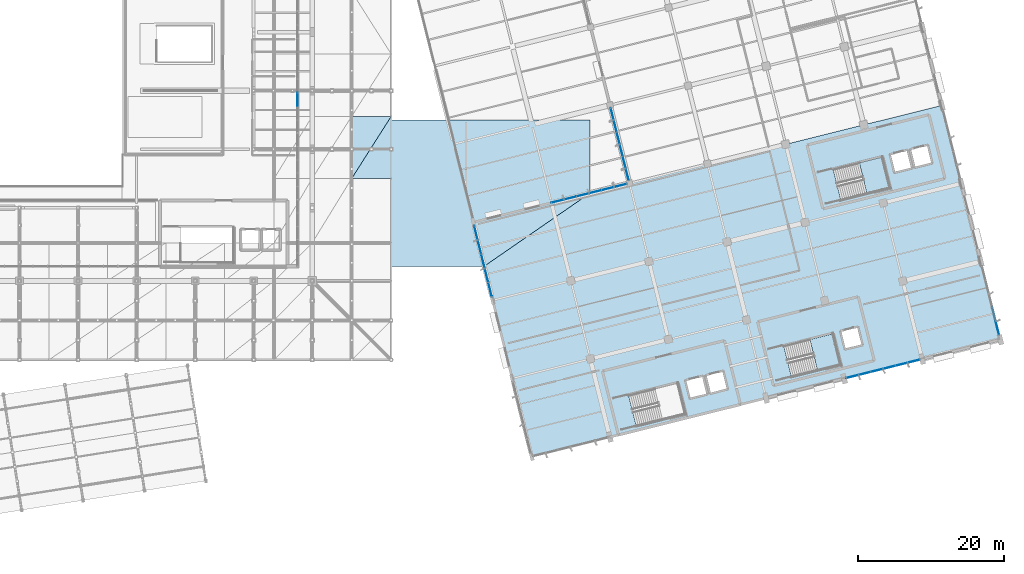
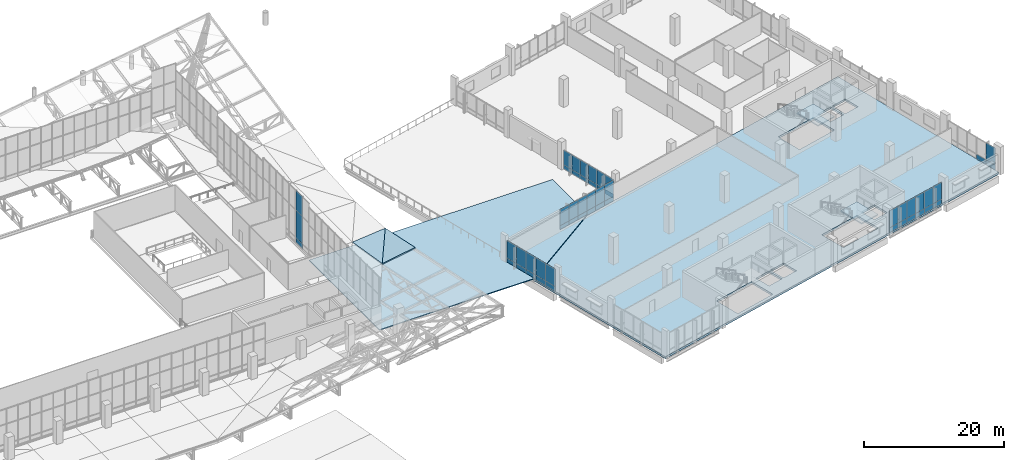
# One storey, part 110 of 137: 52 plates, 6 slabs, 10 elements without a shape of their own.
"""IFC4 building model written with IfcOpenShell, lengths in metres."""

from ifc_helpers import new_model, si_unit, direction, frame, origin, origin_2d, place, context, subcontext, project, spatial, polyline, rectangle, outline, extrude, material, layer, layer_set, type_object, element, aggregate, save


model = new_model("IFC4")

# Units and contexts
model_context = context("Model", 3, precision=1e-05, world=origin(), true_north=direction((0.0, 1.0)))
body_context = subcontext(model_context, "Body", "Model", "MODEL_VIEW")
ifc_project = project(units=[si_unit("LENGTHUNIT", "METRE"), si_unit("AREAUNIT", "SQUARE_METRE"), si_unit("VOLUMEUNIT", "CUBIC_METRE"), si_unit("PLANEANGLEUNIT", "RADIAN"), si_unit("MASSUNIT", "GRAM", prefix="KILO")], contexts=[model_context])

# Site, building, storey
site_placement = place(None, origin())
site = spatial("IfcSite", under=ifc_project, at=site_placement, CompositionType="ELEMENT")
building_placement = place(site_placement, origin())
building = spatial("IfcBuilding", under=site, at=building_placement, Name="Khorjan Park Terminus", CompositionType="ELEMENT")
storey_placement = place(building_placement, frame((0.0, 0.0, 11.4)))
storey = spatial("IfcBuildingStorey", under=building, at=storey_placement, Name="L02", CompositionType="ELEMENT", Elevation=11.4)

# Curtain wall, plates
ifc_material_1 = material(Name="Anodized Bronze Aluminium", Category="aluminium")
ifc_layer_1 = layer(ifc_material_1, 0.22)
ifc_layer_set_1 = layer_set([ifc_layer_1], Name="Anodized Bronze Aluminium")
curtain_wall_type_1 = type_object("IfcCurtainWallType", Name="CW-OPS-B", PredefinedType="NOTDEFINED", material=ifc_layer_set_1)
curtain_wall_1_placement = place(storey_placement, origin())
curtain_wall_1 = element("IfcCurtainWall", 1, at=curtain_wall_1_placement, inside=storey, type_object=curtain_wall_type_1, Name="Unitized curtain wall CW-B (CW-V5-NW1-L02-B03)", PredefinedType="NOTDEFINED")
ifc_material_2 = material(Name="Low-E Solar Control Double Glazing", Category="glass")
ifc_layer_2 = layer(ifc_material_2, 0.032)
ifc_layer_set_2 = layer_set([ifc_layer_2], Name="Low-E Solar Control Double Glazing")
plate_type_1 = type_object("IfcPlateType", Name="GL-VIS-32", PredefinedType="CURTAIN_PANEL", material=ifc_layer_set_2)
plate_1_placement = place(storey_placement, frame((177.0054, 48.7981, 0.727), z_axis=(0.0, 0.0, 1.0), x_axis=(0.241921344539, -0.970295863671, 0.0)))
plate_1 = element("IfcPlate", 2, at=plate_1_placement, type_object=plate_type_1, Name="Curtain-wall panel VP-32 (CW-V5-NW1-L02-B03-0-2)", PredefinedType="CURTAIN_PANEL", context=body_context, shape_type="SweptSolid", body=[
    extrude(rectangle(XDim=1.6983, YDim=0.032, at=origin_2d()), origin(), (0.0, 0.0, 1.0), 2.588),
])
plate_2_placement = place(storey_placement, frame((177.4162, 47.1502, 0.727), z_axis=(0.0, 0.0, 1.0), x_axis=(0.241921344539, -0.970295863671, 0.0)))
plate_2 = element("IfcPlate", 3, at=plate_2_placement, type_object=plate_type_1, Name="Curtain-wall panel VP-32 (CW-V5-NW1-L02-B03-1-2)", PredefinedType="CURTAIN_PANEL", context=body_context, shape_type="SweptSolid", body=[
    extrude(rectangle(XDim=1.6983, YDim=0.032, at=origin_2d()), origin(), (0.0, 0.0, 1.0), 2.588),
])
plate_3_placement = place(storey_placement, frame((177.8272, 45.5024, 0.727), z_axis=(0.0, 0.0, 1.0), x_axis=(0.241921344539, -0.970295863671, 0.0)))
plate_3 = element("IfcPlate", 4, at=plate_3_placement, type_object=plate_type_1, Name="Curtain-wall panel VP-32 (CW-V5-NW1-L02-B03-2-2)", PredefinedType="CURTAIN_PANEL", context=body_context, shape_type="SweptSolid", body=[
    extrude(rectangle(XDim=1.6983, YDim=0.032, at=origin_2d()), origin(), (0.0, 0.0, 1.0), 2.588),
])
plate_4_placement = place(storey_placement, frame((178.238, 43.8546, 0.727), z_axis=(0.0, 0.0, 1.0), x_axis=(0.241921344539, -0.970295863671, 0.0)))
plate_4 = element("IfcPlate", 5, at=plate_4_placement, type_object=plate_type_1, Name="Curtain-wall panel VP-32 (CW-V5-NW1-L02-B03-3-2)", PredefinedType="CURTAIN_PANEL", context=body_context, shape_type="SweptSolid", body=[
    extrude(rectangle(XDim=1.6983, YDim=0.032, at=origin_2d()), origin(), (0.0, 0.0, 1.0), 2.588),
])
plate_5_placement = place(storey_placement, frame((178.6488, 42.2067, 0.727), z_axis=(0.0, 0.0, 1.0), x_axis=(0.241921344539, -0.970295863671, 0.0)))
plate_5 = element("IfcPlate", 6, at=plate_5_placement, type_object=plate_type_1, Name="Curtain-wall panel VP-32 (CW-V5-NW1-L02-B03-4-2)", PredefinedType="CURTAIN_PANEL", context=body_context, shape_type="SweptSolid", body=[
    extrude(rectangle(XDim=1.6983, YDim=0.032, at=origin_2d()), origin(), (0.0, 0.0, 1.0), 2.588),
])
plate_6_placement = place(storey_placement, frame((179.0596, 40.5589, 0.727), z_axis=(0.0, 0.0, 1.0), x_axis=(0.241921344539, -0.970295863671, 0.0)))
plate_6 = element("IfcPlate", 7, at=plate_6_placement, type_object=plate_type_1, Name="Curtain-wall panel VP-32 (CW-V5-NW1-L02-B03-5-2)", PredefinedType="CURTAIN_PANEL", context=body_context, shape_type="SweptSolid", body=[
    extrude(rectangle(XDim=1.6983, YDim=0.032, at=origin_2d()), origin(), (0.0, 0.0, 1.0), 2.588),
])

ifc_layer_3 = layer(ifc_material_1, 0.22)
ifc_layer_set_3 = layer_set([ifc_layer_3], Name="Anodized Bronze Aluminium")
curtain_wall_type_2 = type_object("IfcCurtainWallType", Name="CW-CONC-CLR", PredefinedType="NOTDEFINED", material=ifc_layer_set_3)
curtain_wall_2_placement = place(storey_placement, origin())
curtain_wall_2 = element("IfcCurtainWall", 8, at=curtain_wall_2_placement, inside=storey, type_object=curtain_wall_type_2, Name="Unitized curtain wall CW-CL (CW-V2-E-CLR-02)", PredefinedType="NOTDEFINED")
ifc_material_3 = material(Name="Acoustic Laminated Solar Glazing", Category="glass")
ifc_layer_4 = layer(ifc_material_3, 0.036)
ifc_layer_set_4 = layer_set([ifc_layer_4], Name="Acoustic Laminated Solar Glazing")
plate_type_2 = type_object("IfcPlateType", Name="GL-VIS-36", PredefinedType="CURTAIN_PANEL", material=ifc_layer_set_4)
plate_7_placement = place(storey_placement, frame((134.0, 50.7857, 1.8), z_axis=(0.0, 0.0, 1.0), x_axis=(0.0, 1.0, 0.0)))
plate_7 = element("IfcPlate", 9, at=plate_7_placement, type_object=plate_type_2, Name="Curtain-wall panel VP-36 (CW-V2-E-CLR-02-1-2)", PredefinedType="CURTAIN_PANEL", context=body_context, shape_type="SweptSolid", body=[
    extrude(rectangle(XDim=1.8571, YDim=0.036, at=origin_2d()), origin(), (0.0, 0.0, 1.0), 4.7702),
])
plate_8_placement = place(storey_placement, frame((134.0, 50.7857, 6.5702), z_axis=(0.0, 0.0, 1.0), x_axis=(0.0, 1.0, 0.0)))
plate_8 = element("IfcPlate", 10, at=plate_8_placement, type_object=plate_type_2, Name="Curtain-wall panel VP-36 (CW-V2-E-CLR-02-1-3)", PredefinedType="CURTAIN_PANEL", context=body_context, shape_type="SweptSolid", body=[
    extrude(rectangle(XDim=1.8571, YDim=0.036, at=origin_2d()), origin(), (0.0, 0.0, 1.0), 3.4546),
])

curtain_wall_3_placement = place(storey_placement, origin())
curtain_wall_3 = element("IfcCurtainWall", 11, at=curtain_wall_3_placement, inside=storey, type_object=curtain_wall_type_1, Name="Unitized curtain wall CW-B (CW-V5-S-L02-B05)", PredefinedType="NOTDEFINED")
plate_9_placement = place(storey_placement, frame((209.8493, 12.933, 0.833), z_axis=(0.0, 0.0, 1.0), x_axis=(0.970298180833, 0.241912050695, 0.0)))
plate_9 = element("IfcPlate", 12, at=plate_9_placement, type_object=plate_type_2, Name="Curtain-wall panel VP-36 (CW-V5-S-L02-B05-0-2)", PredefinedType="CURTAIN_PANEL", context=body_context, shape_type="SweptSolid", body=[
    extrude(rectangle(XDim=1.7233, YDim=0.036, at=origin_2d()), origin(), (0.0, 0.0, 1.0), 2.962),
])
plate_10_placement = place(storey_placement, frame((211.5214, 13.3498, 0.833), z_axis=(0.0, 0.0, 1.0), x_axis=(0.970298180833, 0.241912050695, 0.0)))
plate_10 = element("IfcPlate", 13, at=plate_10_placement, type_object=plate_type_2, Name="Curtain-wall panel VP-36 (CW-V5-S-L02-B05-1-2)", PredefinedType="CURTAIN_PANEL", context=body_context, shape_type="SweptSolid", body=[
    extrude(rectangle(XDim=1.7233, YDim=0.036, at=origin_2d()), origin(), (0.0, 0.0, 1.0), 2.962),
])
plate_11_placement = place(storey_placement, frame((213.1935, 13.7667, 0.833), z_axis=(0.0, 0.0, 1.0), x_axis=(0.970298180833, 0.241912050695, 0.0)))
plate_11 = element("IfcPlate", 14, at=plate_11_placement, type_object=plate_type_2, Name="Curtain-wall panel VP-36 (CW-V5-S-L02-B05-2-2)", PredefinedType="CURTAIN_PANEL", context=body_context, shape_type="SweptSolid", body=[
    extrude(rectangle(XDim=1.7233, YDim=0.036, at=origin_2d()), origin(), (0.0, 0.0, 1.0), 2.962),
])
plate_12_placement = place(storey_placement, frame((214.8656, 14.1836, 0.833), z_axis=(0.0, 0.0, 1.0), x_axis=(0.970298180833, 0.241912050695, 0.0)))
plate_12 = element("IfcPlate", 15, at=plate_12_placement, type_object=plate_type_2, Name="Curtain-wall panel VP-36 (CW-V5-S-L02-B05-3-2)", PredefinedType="CURTAIN_PANEL", context=body_context, shape_type="SweptSolid", body=[
    extrude(rectangle(XDim=1.7233, YDim=0.036, at=origin_2d()), origin(), (0.0, 0.0, 1.0), 2.962),
])
plate_13_placement = place(storey_placement, frame((216.5377, 14.6004, 0.833), z_axis=(0.0, 0.0, 1.0), x_axis=(0.970298180833, 0.241912050695, 0.0)))
plate_13 = element("IfcPlate", 16, at=plate_13_placement, type_object=plate_type_2, Name="Curtain-wall panel VP-36 (CW-V5-S-L02-B05-4-2)", PredefinedType="CURTAIN_PANEL", context=body_context, shape_type="SweptSolid", body=[
    extrude(rectangle(XDim=1.7233, YDim=0.036, at=origin_2d()), origin(), (0.0, 0.0, 1.0), 2.962),
])
plate_14_placement = place(storey_placement, frame((218.2098, 15.0174, 0.833), z_axis=(0.0, 0.0, 1.0), x_axis=(0.970298180833, 0.241912050695, 0.0)))
plate_14 = element("IfcPlate", 17, at=plate_14_placement, type_object=plate_type_2, Name="Curtain-wall panel VP-36 (CW-V5-S-L02-B05-5-2)", PredefinedType="CURTAIN_PANEL", context=body_context, shape_type="SweptSolid", body=[
    extrude(rectangle(XDim=1.7233, YDim=0.036, at=origin_2d()), origin(), (0.0, 0.0, 1.0), 2.962),
])

# Curtain wall, plate
curtain_wall_4_placement = place(storey_placement, origin())
curtain_wall_4 = element("IfcCurtainWall", 18, at=curtain_wall_4_placement, inside=storey, type_object=curtain_wall_type_1, Name="Unitized curtain wall CW-B (CW-V5-E-L02-B01)", PredefinedType="NOTDEFINED")
plate_15_placement = place(storey_placement, frame((229.6418, 19.562, 0.841), z_axis=(0.0, 0.0, 1.0), x_axis=(-0.241920488516, 0.9702960771, 0.0)))
plate_15 = element("IfcPlate", 19, at=plate_15_placement, type_object=plate_type_2, Name="Curtain-wall panel VP-36 (CW-V5-E-L02-B01-0-2)", PredefinedType="CURTAIN_PANEL", context=body_context, shape_type="SweptSolid", body=[
    extrude(rectangle(XDim=1.928, YDim=0.036, at=origin_2d()), origin(), (0.0, 0.0, 1.0), 2.994),
])

# Curtain wall, plates
curtain_wall_5_placement = place(storey_placement, origin())
curtain_wall_5 = element("IfcCurtainWall", 20, at=curtain_wall_5_placement, inside=storey, type_object=curtain_wall_type_1, Name="Unitized curtain wall CW-B (CW-V5-NW2-L02-B01)", PredefinedType="NOTDEFINED")
plate_16_placement = place(storey_placement, frame((178.1133, 39.0304, 0.795), z_axis=(0.0, 0.0, 1.0), x_axis=(-0.970296650926, -0.241918187, 0.0)))
plate_16 = element("IfcPlate", 21, at=plate_16_placement, type_object=plate_type_2, Name="Curtain-wall panel VP-36 (CW-V5-NW2-L02-B01-0-2)", PredefinedType="CURTAIN_PANEL", context=body_context, shape_type="SweptSolid", body=[
    extrude(rectangle(XDim=1.7658, YDim=0.036, at=origin_2d()), origin(), (0.0, 0.0, 1.0), 2.83),
])
plate_17_placement = place(storey_placement, frame((176.3999, 38.6032, 0.795), z_axis=(0.0, 0.0, 1.0), x_axis=(-0.970296650926, -0.241918187, 0.0)))
plate_17 = element("IfcPlate", 22, at=plate_17_placement, type_object=plate_type_2, Name="Curtain-wall panel VP-36 (CW-V5-NW2-L02-B01-1-2)", PredefinedType="CURTAIN_PANEL", context=body_context, shape_type="SweptSolid", body=[
    extrude(rectangle(XDim=1.7658, YDim=0.036, at=origin_2d()), origin(), (0.0, 0.0, 1.0), 2.83),
])
plate_18_placement = place(storey_placement, frame((174.6866, 38.1761, 0.795), z_axis=(0.0, 0.0, 1.0), x_axis=(-0.970296650926, -0.241918187, 0.0)))
plate_18 = element("IfcPlate", 23, at=plate_18_placement, type_object=plate_type_2, Name="Curtain-wall panel VP-36 (CW-V5-NW2-L02-B01-2-2)", PredefinedType="CURTAIN_PANEL", context=body_context, shape_type="SweptSolid", body=[
    extrude(rectangle(XDim=1.7658, YDim=0.036, at=origin_2d()), origin(), (0.0, 0.0, 1.0), 2.83),
])
plate_19_placement = place(storey_placement, frame((172.9732, 37.7489, 0.795), z_axis=(0.0, 0.0, 1.0), x_axis=(-0.970296650926, -0.241918187, 0.0)))
plate_19 = element("IfcPlate", 24, at=plate_19_placement, type_object=plate_type_2, Name="Curtain-wall panel VP-36 (CW-V5-NW2-L02-B01-3-2)", PredefinedType="CURTAIN_PANEL", context=body_context, shape_type="SweptSolid", body=[
    extrude(rectangle(XDim=1.7658, YDim=0.036, at=origin_2d()), origin(), (0.0, 0.0, 1.0), 2.83),
])
plate_20_placement = place(storey_placement, frame((171.2599, 37.3217, 0.795), z_axis=(0.0, 0.0, 1.0), x_axis=(-0.970296650926, -0.241918187, 0.0)))
plate_20 = element("IfcPlate", 25, at=plate_20_placement, type_object=plate_type_2, Name="Curtain-wall panel VP-36 (CW-V5-NW2-L02-B01-4-2)", PredefinedType="CURTAIN_PANEL", context=body_context, shape_type="SweptSolid", body=[
    extrude(rectangle(XDim=1.7658, YDim=0.036, at=origin_2d()), origin(), (0.0, 0.0, 1.0), 2.83),
])
plate_21_placement = place(storey_placement, frame((169.5465, 36.8945, 0.795), z_axis=(0.0, 0.0, 1.0), x_axis=(-0.970296650926, -0.241918187, 0.0)))
plate_21 = element("IfcPlate", 26, at=plate_21_placement, type_object=plate_type_2, Name="Curtain-wall panel VP-36 (CW-V5-NW2-L02-B01-5-2)", PredefinedType="CURTAIN_PANEL", context=body_context, shape_type="SweptSolid", body=[
    extrude(rectangle(XDim=1.7658, YDim=0.036, at=origin_2d()), origin(), (0.0, 0.0, 1.0), 2.83),
])

curtain_wall_6_placement = place(storey_placement, origin())
curtain_wall_6 = element("IfcCurtainWall", 27, at=curtain_wall_6_placement, inside=storey, type_object=curtain_wall_type_1, Name="Unitized curtain wall CW-B (CW-V5-W-L02-B01)", PredefinedType="NOTDEFINED")
plate_22_placement = place(storey_placement, frame((158.3853, 32.541, 0.85), z_axis=(0.0, 0.0, 1.0), x_axis=(0.241915425176, -0.970297339511, 0.0)))
plate_22 = element("IfcPlate", 28, at=plate_22_placement, type_object=plate_type_2, Name="Curtain-wall panel VP-36 (CW-V5-W-L02-B01-0-2)", PredefinedType="CURTAIN_PANEL", context=body_context, shape_type="SweptSolid", body=[
    extrude(rectangle(XDim=1.9881, YDim=0.036, at=origin_2d()), origin(), (0.0, 0.0, 1.0), 3.065),
])
plate_23_placement = place(storey_placement, frame((158.8662, 30.612, 0.85), z_axis=(0.0, 0.0, 1.0), x_axis=(0.241915425176, -0.970297339511, 0.0)))
plate_23 = element("IfcPlate", 29, at=plate_23_placement, type_object=plate_type_2, Name="Curtain-wall panel VP-36 (CW-V5-W-L02-B01-1-2)", PredefinedType="CURTAIN_PANEL", context=body_context, shape_type="SweptSolid", body=[
    extrude(rectangle(XDim=1.9881, YDim=0.036, at=origin_2d()), origin(), (0.0, 0.0, 1.0), 3.065),
])
plate_24_placement = place(storey_placement, frame((159.3472, 28.6829, 0.85), z_axis=(0.0, 0.0, 1.0), x_axis=(0.241915425176, -0.970297339511, 0.0)))
plate_24 = element("IfcPlate", 30, at=plate_24_placement, type_object=plate_type_2, Name="Curtain-wall panel VP-36 (CW-V5-W-L02-B01-2-2)", PredefinedType="CURTAIN_PANEL", context=body_context, shape_type="SweptSolid", body=[
    extrude(rectangle(XDim=1.9881, YDim=0.036, at=origin_2d()), origin(), (0.0, 0.0, 1.0), 3.065),
])
plate_25_placement = place(storey_placement, frame((159.8281, 26.7538, 0.85), z_axis=(0.0, 0.0, 1.0), x_axis=(0.241915425176, -0.970297339511, 0.0)))
plate_25 = element("IfcPlate", 31, at=plate_25_placement, type_object=plate_type_2, Name="Curtain-wall panel VP-36 (CW-V5-W-L02-B01-3-2)", PredefinedType="CURTAIN_PANEL", context=body_context, shape_type="SweptSolid", body=[
    extrude(rectangle(XDim=1.9881, YDim=0.036, at=origin_2d()), origin(), (0.0, 0.0, 1.0), 3.065),
])
plate_26_placement = place(storey_placement, frame((160.3091, 24.8248, 0.85), z_axis=(0.0, 0.0, 1.0), x_axis=(0.241915425176, -0.970297339511, 0.0)))
plate_26 = element("IfcPlate", 32, at=plate_26_placement, type_object=plate_type_2, Name="Curtain-wall panel VP-36 (CW-V5-W-L02-B01-4-2)", PredefinedType="CURTAIN_PANEL", context=body_context, shape_type="SweptSolid", body=[
    extrude(rectangle(XDim=1.9881, YDim=0.036, at=origin_2d()), origin(), (0.0, 0.0, 1.0), 3.065),
])

# Slab
ifc_material_4 = material(Name="Concrete C40/50", Category="concrete")
ifc_layer_5 = layer(ifc_material_4, 0.35)
ifc_layer_set_5 = layer_set([ifc_layer_5], Name="Concrete C40/50")
slab_type_1 = type_object("IfcSlabType", Name="SL-FLR-350", PredefinedType="FLOOR", material=ifc_layer_set_5)
slab_1_placement = place(storey_placement, frame((0.0, 0.0, -0.35)))
element("IfcSlab", 33, at=slab_1_placement, inside=storey, type_object=slab_type_1, Name="Structural floor slab FS-35 (L02-V5-S)", PredefinedType="FLOOR", context=body_context, shape_type="SweptSolid", body=[
    extrude(outline(polyline([(158.0166, 34.0198), (222.0561, 49.9866), (230.0395, 17.9668), (166.0, 2.0), (158.0166, 34.0198)]), holes=[polyline([(185.9646, 12.038), (179.2453, 10.3627), (180.3001, 6.1322), (187.0194, 7.8075), (185.9646, 12.038)]), polyline([(190.0528, 10.4808), (189.4141, 13.0423), (186.9495, 12.4279), (187.5882, 9.8663), (190.0528, 10.4808)]), polyline([(192.8278, 11.1727), (192.1891, 13.7342), (189.7246, 13.1198), (190.3633, 10.5582), (192.8278, 11.1727)]), polyline([(208.2213, 14.5366), (207.1665, 18.7671), (200.4472, 17.0918), (201.502, 12.8613), (208.2213, 14.5366)]), polyline([(211.2547, 17.2099), (210.616, 19.7714), (208.1514, 19.157), (208.7901, 16.5954), (211.2547, 17.2099)]), polyline([(214.9791, 38.6889), (213.9243, 42.9194), (207.205, 41.2441), (208.2598, 37.0136), (214.9791, 38.6889)]), polyline([(218.0125, 41.3622), (217.3738, 43.9237), (214.9092, 43.3093), (215.5479, 40.7477), (218.0125, 41.3622)]), polyline([(220.7875, 42.0541), (220.1488, 44.6156), (217.6843, 44.0012), (218.323, 41.4396), (220.7875, 42.0541)])]), origin(), (0.0, 0.0, 1.0), 0.35),
])

# Stair, slab
stair_type = type_object("IfcStairType", Name="STR-CORE-200", PredefinedType="HALF_TURN_STAIR", material=ifc_material_4)
stair_1_placement = place(storey_placement, origin())
stair_1 = element("IfcStair", 34, at=stair_1_placement, inside=storey, type_object=stair_type, Name="L02 Operations North-East Firefighting Core exit stair ST-04", PredefinedType="HALF_TURN_STAIR")
ifc_layer_6 = layer(ifc_material_4, 0.2)
ifc_layer_set_6 = layer_set([ifc_layer_6], Name="Concrete C40/50")
slab_type_2 = type_object("IfcSlabType", Name="SL-LND-200", PredefinedType="LANDING", material=ifc_layer_set_6)
slab_2_placement = place(storey_placement, frame((0.0, 0.0, 2.2)))
slab_2 = element("IfcSlab", 35, at=slab_2_placement, type_object=slab_type_2, Name="ST-04 landing 1", PredefinedType="LANDING", context=body_context, shape_type="SweptSolid", body=[
    extrude(outline(polyline([(211.8256, 37.9027), (214.9791, 38.6889), (213.9243, 42.9194), (210.7708, 42.1331), (211.8256, 37.9027)])), origin(), (0.0, 0.0, 1.0), 0.2),
])
aggregate(stair_1, [slab_2])

stair_2_placement = place(storey_placement, origin())
stair_2 = element("IfcStair", 36, at=stair_2_placement, inside=storey, type_object=stair_type, Name="L02 Operations Central Command Core exit stair ST-05", PredefinedType="HALF_TURN_STAIR")
slab_3_placement = place(storey_placement, frame((0.0, 0.0, 2.2)))
slab_3 = element("IfcSlab", 37, at=slab_3_placement, type_object=slab_type_2, Name="ST-05 landing 1", PredefinedType="LANDING", context=body_context, shape_type="SweptSolid", body=[
    extrude(outline(polyline([(205.0678, 13.7504), (208.2213, 14.5366), (207.1665, 18.7671), (204.013, 17.9808), (205.0678, 13.7504)])), origin(), (0.0, 0.0, 1.0), 0.2),
])
aggregate(stair_2, [slab_3])

# Roof, slab
ifc_layer_7 = layer(ifc_material_4, 0.16)
ifc_layer_set_7 = layer_set([ifc_layer_7], Name="Concrete C40/50")
roof_type_1 = type_object("IfcRoofType", Name="RF-FLAT-SIDE", PredefinedType="FLAT_ROOF", material=ifc_layer_set_7)
roof_1_placement = place(storey_placement, origin())
roof_1 = element("IfcRoof", 38, at=roof_1_placement, inside=storey, type_object=roof_type_1, Name="Park pavilion low-slope flat roof RF-SD1", PredefinedType="FLAT_ROOF")
ifc_layer_8 = layer(ifc_material_4, 0.14)
ifc_layer_set_8 = layer_set([ifc_layer_8], Name="Concrete C40/50")
slab_type_3 = type_object("IfcSlabType", Name="SL-ROOF-140", PredefinedType="ROOF", material=ifc_layer_set_8)
slab_4_placement = place(storey_placement, origin())
slab_4 = element("IfcSlab", 39, at=slab_4_placement, type_object=slab_type_3, Name="Operations connector flat roof slab RS-14", PredefinedType="ROOF", context=body_context, shape_type="SweptSolid", body=[
    extrude(outline(polyline([(134.0, 28.0), (134.0, 48.0), (174.0, 48.0), (174.0, 38.0152), (159.5072, 28.0), (134.0, 28.0)])), origin(), (0.0, 0.0, 1.0), 0.14),
])
aggregate(roof_1, [slab_4])

# Roof, slabs
ifc_material_5 = material(Name="Concrete C50/60", Category="concrete")
ifc_layer_9 = layer(ifc_material_5, 0.16)
ifc_layer_set_9 = layer_set([ifc_layer_9], Name="Concrete C50/60")
roof_type_2 = type_object("IfcRoofType", Name="RF-SHELL-LOWER", PredefinedType="FREEFORM", material=ifc_layer_set_9)
roof_2_placement = place(storey_placement, origin())
roof_2 = element("IfcRoof", 40, at=roof_2_placement, inside=storey, type_object=roof_type_2, Name="Lower 4-sided wrapping folded concrete shell roof RF-CS2 (4)", PredefinedType="FREEFORM")
ifc_layer_10 = layer(ifc_material_5, 0.16)
ifc_layer_set_10 = layer_set([ifc_layer_10], Name="Concrete C50/60")
slab_type_4 = type_object("IfcSlabType", Name="SL-SHL-160", PredefinedType="ROOF", material=ifc_layer_set_10)
slab_5_placement = place(storey_placement, frame((141.4, 40.0, 1.7791), z_axis=(-0.16371084753, 0.204864304769, 0.965002266853), x_axis=(0.985913104802, 0.0, 0.167258332465)))
slab_5 = element("IfcSlab", 41, at=slab_5_placement, type_object=slab_type_4, Name="Lower 4-sided wrapping folded concrete shell facet RS-16 (192)", PredefinedType="ROOF", context=body_context, shape_type="SweptSolid", body=[
    extrude(outline(polyline([(0.0, 0.0), (5.4771561243039315, -2.7755575615628914e-17), (5.175338463371346, 8.684188295376211), (0.0, 0.0)])), origin(), (0.0, 0.0, -1.0), 0.16),
])
slab_6_placement = place(storey_placement, frame((141.4, 40.0, 1.7791), z_axis=(-0.096483848537, 0.163905438783, 0.981746338984), x_axis=(0.534158195129, 0.840804566406, -0.087878914917)))
slab_6 = element("IfcSlab", 42, at=slab_6_placement, type_object=slab_type_4, Name="Lower 4-sided wrapping folded concrete shell facet RS-16 (193)", PredefinedType="ROOF", context=body_context, shape_type="SweptSolid", body=[
    extrude(outline(polyline([(0.0, 0.0), (10.109364696161677, -2.7755575615628914e-16), (7.271547782612943, 4.624763524243894), (0.0, 0.0)])), origin(), (0.0, 0.0, -1.0), 0.16),
])
aggregate(roof_2, [slab_5, slab_6])

# Plate
ifc_material_6 = material(Name="Insulated Anodized Bronze Spandrel Panel")
ifc_layer_11 = layer(ifc_material_6, 0.045)
ifc_layer_set_11 = layer_set([ifc_layer_11], Name="Insulated Anodized Bronze Spandrel Panel")
plate_type_3 = type_object("IfcPlateType", Name="SP-AL-45", PredefinedType="CURTAIN_PANEL", material=ifc_layer_set_11)
plate_27_placement = place(storey_placement, frame((134.0, 50.7857, 0.94), z_axis=(0.0, 0.0, 1.0), x_axis=(0.0, 1.0, 0.0)))
plate_27 = element("IfcPlate", 43, at=plate_27_placement, type_object=plate_type_3, Name="Curtain-wall panel SP-A45 (CW-V2-E-CLR-02-1-1)", PredefinedType="CURTAIN_PANEL", context=body_context, shape_type="SweptSolid", body=[
    extrude(rectangle(XDim=1.8571, YDim=0.045, at=origin_2d()), origin(), (0.0, 0.0, 1.0), 0.86),
])

aggregate(curtain_wall_2, [plate_27, plate_7, plate_8])

ifc_material_7 = material(Name="Insulated Bronze-Composite Spandrel Panel")
ifc_layer_12 = layer(ifc_material_7, 0.055)
ifc_layer_set_12 = layer_set([ifc_layer_12], Name="Insulated Bronze-Composite Spandrel Panel")
plate_type_4 = type_object("IfcPlateType", Name="SP-AL-55", PredefinedType="CURTAIN_PANEL", material=ifc_layer_set_12)
plate_28_placement = place(storey_placement, frame((209.8493, 12.933, -0.01), z_axis=(0.0, 0.0, 1.0), x_axis=(0.970298180833, 0.241912050695, 0.0)))
plate_28 = element("IfcPlate", 44, at=plate_28_placement, type_object=plate_type_4, Name="Curtain-wall panel SP-A55 (CW-V5-S-L02-B05-0-1)", PredefinedType="CURTAIN_PANEL", context=body_context, shape_type="SweptSolid", body=[
    extrude(rectangle(XDim=1.7233, YDim=0.055, at=origin_2d()), origin(), (0.0, 0.0, 1.0), 0.843),
])

plate_29_placement = place(storey_placement, frame((211.5214, 13.3498, -0.01), z_axis=(0.0, 0.0, 1.0), x_axis=(0.970298180833, 0.241912050695, 0.0)))
plate_29 = element("IfcPlate", 45, at=plate_29_placement, type_object=plate_type_4, Name="Curtain-wall panel SP-A55 (CW-V5-S-L02-B05-1-1)", PredefinedType="CURTAIN_PANEL", context=body_context, shape_type="SweptSolid", body=[
    extrude(rectangle(XDim=1.7233, YDim=0.055, at=origin_2d()), origin(), (0.0, 0.0, 1.0), 0.843),
])

plate_30_placement = place(storey_placement, frame((213.1935, 13.7667, -0.01), z_axis=(0.0, 0.0, 1.0), x_axis=(0.970298180833, 0.241912050695, 0.0)))
plate_30 = element("IfcPlate", 46, at=plate_30_placement, type_object=plate_type_4, Name="Curtain-wall panel SP-A55 (CW-V5-S-L02-B05-2-1)", PredefinedType="CURTAIN_PANEL", context=body_context, shape_type="SweptSolid", body=[
    extrude(rectangle(XDim=1.7233, YDim=0.055, at=origin_2d()), origin(), (0.0, 0.0, 1.0), 0.843),
])

plate_31_placement = place(storey_placement, frame((214.8656, 14.1836, -0.01), z_axis=(0.0, 0.0, 1.0), x_axis=(0.970298180833, 0.241912050695, 0.0)))
plate_31 = element("IfcPlate", 47, at=plate_31_placement, type_object=plate_type_4, Name="Curtain-wall panel SP-A55 (CW-V5-S-L02-B05-3-1)", PredefinedType="CURTAIN_PANEL", context=body_context, shape_type="SweptSolid", body=[
    extrude(rectangle(XDim=1.7233, YDim=0.055, at=origin_2d()), origin(), (0.0, 0.0, 1.0), 0.843),
])

plate_32_placement = place(storey_placement, frame((216.5377, 14.6004, -0.01), z_axis=(0.0, 0.0, 1.0), x_axis=(0.970298180833, 0.241912050695, 0.0)))
plate_32 = element("IfcPlate", 48, at=plate_32_placement, type_object=plate_type_4, Name="Curtain-wall panel SP-A55 (CW-V5-S-L02-B05-4-1)", PredefinedType="CURTAIN_PANEL", context=body_context, shape_type="SweptSolid", body=[
    extrude(rectangle(XDim=1.7233, YDim=0.055, at=origin_2d()), origin(), (0.0, 0.0, 1.0), 0.843),
])

plate_33_placement = place(storey_placement, frame((218.2098, 15.0174, -0.01), z_axis=(0.0, 0.0, 1.0), x_axis=(0.970298180833, 0.241912050695, 0.0)))
plate_33 = element("IfcPlate", 49, at=plate_33_placement, type_object=plate_type_4, Name="Curtain-wall panel SP-A55 (CW-V5-S-L02-B05-5-1)", PredefinedType="CURTAIN_PANEL", context=body_context, shape_type="SweptSolid", body=[
    extrude(rectangle(XDim=1.7233, YDim=0.055, at=origin_2d()), origin(), (0.0, 0.0, 1.0), 0.843),
])

aggregate(curtain_wall_3, [plate_28, plate_9, plate_29, plate_10, plate_30, plate_11, plate_31, plate_12, plate_32, plate_13, plate_33, plate_14])

plate_34_placement = place(storey_placement, frame((229.6418, 19.562, -0.01), z_axis=(0.0, 0.0, 1.0), x_axis=(-0.241920488516, 0.9702960771, 0.0)))
plate_34 = element("IfcPlate", 50, at=plate_34_placement, type_object=plate_type_4, Name="Curtain-wall panel SP-A55 (CW-V5-E-L02-B01-0-1)", PredefinedType="CURTAIN_PANEL", context=body_context, shape_type="SweptSolid", body=[
    extrude(rectangle(XDim=1.928, YDim=0.055, at=origin_2d()), origin(), (0.0, 0.0, 1.0), 0.851),
])

plate_35_placement = place(storey_placement, frame((229.1754, 21.4327, -0.01), z_axis=(0.0, 0.0, 1.0), x_axis=(-0.241920488516, 0.9702960771, 0.0)))
plate_35 = element("IfcPlate", 51, at=plate_35_placement, type_object=plate_type_4, Name="Curtain-wall panel SP-A55 (CW-V5-E-L02-B01-1-1)", PredefinedType="CURTAIN_PANEL", context=body_context, shape_type="SweptSolid", body=[
    extrude(rectangle(XDim=1.928, YDim=0.055, at=origin_2d()), origin(), (0.0, 0.0, 1.0), 0.851),
])

aggregate(curtain_wall_4, [plate_34, plate_15, plate_35])

plate_36_placement = place(storey_placement, frame((177.0054, 48.7981, -0.01), z_axis=(0.0, 0.0, 1.0), x_axis=(0.241921344539, -0.970295863671, 0.0)))
plate_36 = element("IfcPlate", 52, at=plate_36_placement, type_object=plate_type_4, Name="Curtain-wall panel SP-A55 (CW-V5-NW1-L02-B03-0-1)", PredefinedType="CURTAIN_PANEL", context=body_context, shape_type="SweptSolid", body=[
    extrude(rectangle(XDim=1.6983, YDim=0.055, at=origin_2d()), origin(), (0.0, 0.0, 1.0), 0.737),
])

plate_37_placement = place(storey_placement, frame((177.4162, 47.1502, -0.01), z_axis=(0.0, 0.0, 1.0), x_axis=(0.241921344539, -0.970295863671, 0.0)))
plate_37 = element("IfcPlate", 53, at=plate_37_placement, type_object=plate_type_4, Name="Curtain-wall panel SP-A55 (CW-V5-NW1-L02-B03-1-1)", PredefinedType="CURTAIN_PANEL", context=body_context, shape_type="SweptSolid", body=[
    extrude(rectangle(XDim=1.6983, YDim=0.055, at=origin_2d()), origin(), (0.0, 0.0, 1.0), 0.737),
])

plate_38_placement = place(storey_placement, frame((177.8272, 45.5024, -0.01), z_axis=(0.0, 0.0, 1.0), x_axis=(0.241921344539, -0.970295863671, 0.0)))
plate_38 = element("IfcPlate", 54, at=plate_38_placement, type_object=plate_type_4, Name="Curtain-wall panel SP-A55 (CW-V5-NW1-L02-B03-2-1)", PredefinedType="CURTAIN_PANEL", context=body_context, shape_type="SweptSolid", body=[
    extrude(rectangle(XDim=1.6983, YDim=0.055, at=origin_2d()), origin(), (0.0, 0.0, 1.0), 0.737),
])

plate_39_placement = place(storey_placement, frame((178.238, 43.8546, -0.01), z_axis=(0.0, 0.0, 1.0), x_axis=(0.241921344539, -0.970295863671, 0.0)))
plate_39 = element("IfcPlate", 55, at=plate_39_placement, type_object=plate_type_4, Name="Curtain-wall panel SP-A55 (CW-V5-NW1-L02-B03-3-1)", PredefinedType="CURTAIN_PANEL", context=body_context, shape_type="SweptSolid", body=[
    extrude(rectangle(XDim=1.6983, YDim=0.055, at=origin_2d()), origin(), (0.0, 0.0, 1.0), 0.737),
])

plate_40_placement = place(storey_placement, frame((178.6488, 42.2067, -0.01), z_axis=(0.0, 0.0, 1.0), x_axis=(0.241921344539, -0.970295863671, 0.0)))
plate_40 = element("IfcPlate", 56, at=plate_40_placement, type_object=plate_type_4, Name="Curtain-wall panel SP-A55 (CW-V5-NW1-L02-B03-4-1)", PredefinedType="CURTAIN_PANEL", context=body_context, shape_type="SweptSolid", body=[
    extrude(rectangle(XDim=1.6983, YDim=0.055, at=origin_2d()), origin(), (0.0, 0.0, 1.0), 0.737),
])

plate_41_placement = place(storey_placement, frame((179.0596, 40.5589, -0.01), z_axis=(0.0, 0.0, 1.0), x_axis=(0.241921344539, -0.970295863671, 0.0)))
plate_41 = element("IfcPlate", 57, at=plate_41_placement, type_object=plate_type_4, Name="Curtain-wall panel SP-A55 (CW-V5-NW1-L02-B03-5-1)", PredefinedType="CURTAIN_PANEL", context=body_context, shape_type="SweptSolid", body=[
    extrude(rectangle(XDim=1.6983, YDim=0.055, at=origin_2d()), origin(), (0.0, 0.0, 1.0), 0.737),
])

aggregate(curtain_wall_1, [plate_36, plate_1, plate_37, plate_2, plate_38, plate_3, plate_39, plate_4, plate_40, plate_5, plate_41, plate_6])

plate_42_placement = place(storey_placement, frame((178.1133, 39.0304, -0.01), z_axis=(0.0, 0.0, 1.0), x_axis=(-0.970296650926, -0.241918187, 0.0)))
plate_42 = element("IfcPlate", 58, at=plate_42_placement, type_object=plate_type_4, Name="Curtain-wall panel SP-A55 (CW-V5-NW2-L02-B01-0-1)", PredefinedType="CURTAIN_PANEL", context=body_context, shape_type="SweptSolid", body=[
    extrude(rectangle(XDim=1.7658, YDim=0.055, at=origin_2d()), origin(), (0.0, 0.0, 1.0), 0.805),
])

plate_43_placement = place(storey_placement, frame((176.3999, 38.6032, -0.01), z_axis=(0.0, 0.0, 1.0), x_axis=(-0.970296650926, -0.241918187, 0.0)))
plate_43 = element("IfcPlate", 59, at=plate_43_placement, type_object=plate_type_4, Name="Curtain-wall panel SP-A55 (CW-V5-NW2-L02-B01-1-1)", PredefinedType="CURTAIN_PANEL", context=body_context, shape_type="SweptSolid", body=[
    extrude(rectangle(XDim=1.7658, YDim=0.055, at=origin_2d()), origin(), (0.0, 0.0, 1.0), 0.805),
])

plate_44_placement = place(storey_placement, frame((174.6866, 38.1761, -0.01), z_axis=(0.0, 0.0, 1.0), x_axis=(-0.970296650926, -0.241918187, 0.0)))
plate_44 = element("IfcPlate", 60, at=plate_44_placement, type_object=plate_type_4, Name="Curtain-wall panel SP-A55 (CW-V5-NW2-L02-B01-2-1)", PredefinedType="CURTAIN_PANEL", context=body_context, shape_type="SweptSolid", body=[
    extrude(rectangle(XDim=1.7658, YDim=0.055, at=origin_2d()), origin(), (0.0, 0.0, 1.0), 0.805),
])

plate_45_placement = place(storey_placement, frame((172.9732, 37.7489, -0.01), z_axis=(0.0, 0.0, 1.0), x_axis=(-0.970296650926, -0.241918187, 0.0)))
plate_45 = element("IfcPlate", 61, at=plate_45_placement, type_object=plate_type_4, Name="Curtain-wall panel SP-A55 (CW-V5-NW2-L02-B01-3-1)", PredefinedType="CURTAIN_PANEL", context=body_context, shape_type="SweptSolid", body=[
    extrude(rectangle(XDim=1.7658, YDim=0.055, at=origin_2d()), origin(), (0.0, 0.0, 1.0), 0.805),
])

plate_46_placement = place(storey_placement, frame((171.2599, 37.3217, -0.01), z_axis=(0.0, 0.0, 1.0), x_axis=(-0.970296650926, -0.241918187, 0.0)))
plate_46 = element("IfcPlate", 62, at=plate_46_placement, type_object=plate_type_4, Name="Curtain-wall panel SP-A55 (CW-V5-NW2-L02-B01-4-1)", PredefinedType="CURTAIN_PANEL", context=body_context, shape_type="SweptSolid", body=[
    extrude(rectangle(XDim=1.7658, YDim=0.055, at=origin_2d()), origin(), (0.0, 0.0, 1.0), 0.805),
])

plate_47_placement = place(storey_placement, frame((169.5465, 36.8945, -0.01), z_axis=(0.0, 0.0, 1.0), x_axis=(-0.970296650926, -0.241918187, 0.0)))
plate_47 = element("IfcPlate", 63, at=plate_47_placement, type_object=plate_type_4, Name="Curtain-wall panel SP-A55 (CW-V5-NW2-L02-B01-5-1)", PredefinedType="CURTAIN_PANEL", context=body_context, shape_type="SweptSolid", body=[
    extrude(rectangle(XDim=1.7658, YDim=0.055, at=origin_2d()), origin(), (0.0, 0.0, 1.0), 0.805),
])

aggregate(curtain_wall_5, [plate_42, plate_16, plate_43, plate_17, plate_44, plate_18, plate_45, plate_19, plate_46, plate_20, plate_47, plate_21])

plate_48_placement = place(storey_placement, frame((158.3853, 32.541, -0.01), z_axis=(0.0, 0.0, 1.0), x_axis=(0.241915425176, -0.970297339511, 0.0)))
plate_48 = element("IfcPlate", 64, at=plate_48_placement, type_object=plate_type_4, Name="Curtain-wall panel SP-A55 (CW-V5-W-L02-B01-0-1)", PredefinedType="CURTAIN_PANEL", context=body_context, shape_type="SweptSolid", body=[
    extrude(rectangle(XDim=1.9881, YDim=0.055, at=origin_2d()), origin(), (0.0, 0.0, 1.0), 0.86),
])

plate_49_placement = place(storey_placement, frame((158.8662, 30.612, -0.01), z_axis=(0.0, 0.0, 1.0), x_axis=(0.241915425176, -0.970297339511, 0.0)))
plate_49 = element("IfcPlate", 65, at=plate_49_placement, type_object=plate_type_4, Name="Curtain-wall panel SP-A55 (CW-V5-W-L02-B01-1-1)", PredefinedType="CURTAIN_PANEL", context=body_context, shape_type="SweptSolid", body=[
    extrude(rectangle(XDim=1.9881, YDim=0.055, at=origin_2d()), origin(), (0.0, 0.0, 1.0), 0.86),
])

plate_50_placement = place(storey_placement, frame((159.3472, 28.6829, -0.01), z_axis=(0.0, 0.0, 1.0), x_axis=(0.241915425176, -0.970297339511, 0.0)))
plate_50 = element("IfcPlate", 66, at=plate_50_placement, type_object=plate_type_4, Name="Curtain-wall panel SP-A55 (CW-V5-W-L02-B01-2-1)", PredefinedType="CURTAIN_PANEL", context=body_context, shape_type="SweptSolid", body=[
    extrude(rectangle(XDim=1.9881, YDim=0.055, at=origin_2d()), origin(), (0.0, 0.0, 1.0), 0.86),
])

plate_51_placement = place(storey_placement, frame((159.8281, 26.7538, -0.01), z_axis=(0.0, 0.0, 1.0), x_axis=(0.241915425176, -0.970297339511, 0.0)))
plate_51 = element("IfcPlate", 67, at=plate_51_placement, type_object=plate_type_4, Name="Curtain-wall panel SP-A55 (CW-V5-W-L02-B01-3-1)", PredefinedType="CURTAIN_PANEL", context=body_context, shape_type="SweptSolid", body=[
    extrude(rectangle(XDim=1.9881, YDim=0.055, at=origin_2d()), origin(), (0.0, 0.0, 1.0), 0.86),
])

plate_52_placement = place(storey_placement, frame((160.3091, 24.8248, -0.01), z_axis=(0.0, 0.0, 1.0), x_axis=(0.241915425176, -0.970297339511, 0.0)))
plate_52 = element("IfcPlate", 68, at=plate_52_placement, type_object=plate_type_4, Name="Curtain-wall panel SP-A55 (CW-V5-W-L02-B01-4-1)", PredefinedType="CURTAIN_PANEL", context=body_context, shape_type="SweptSolid", body=[
    extrude(rectangle(XDim=1.9881, YDim=0.055, at=origin_2d()), origin(), (0.0, 0.0, 1.0), 0.86),
])

aggregate(curtain_wall_6, [plate_48, plate_22, plate_49, plate_23, plate_50, plate_24, plate_51, plate_25, plate_52, plate_26])

save(model, "model.ifc")
